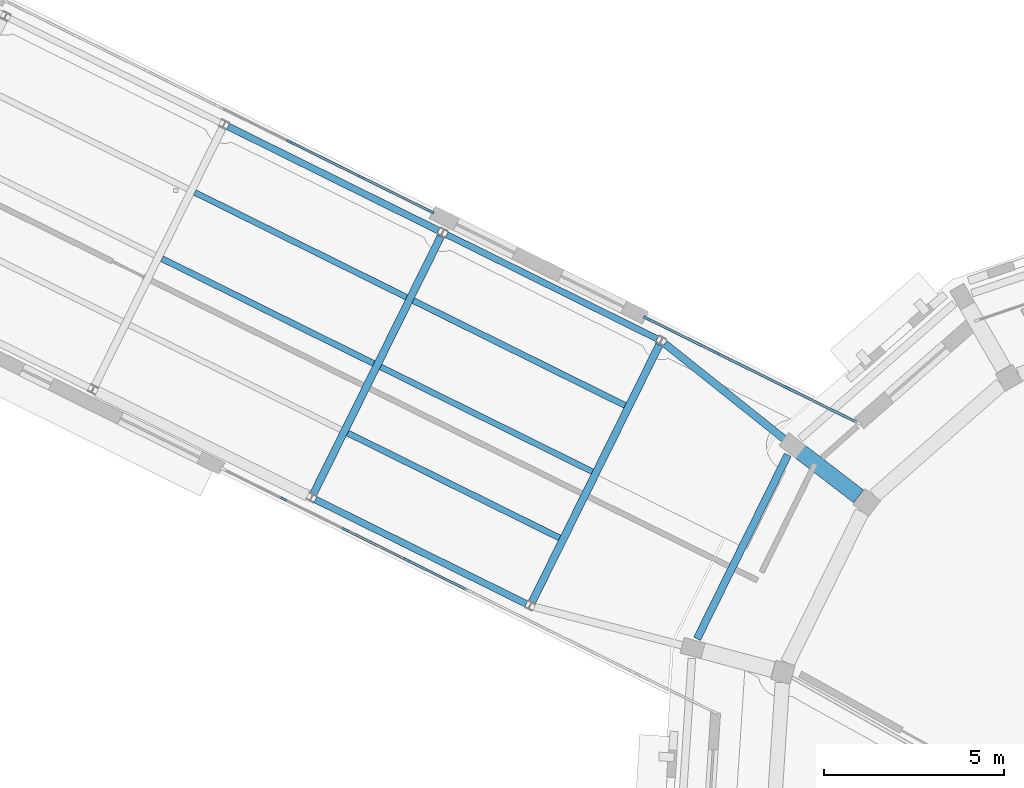
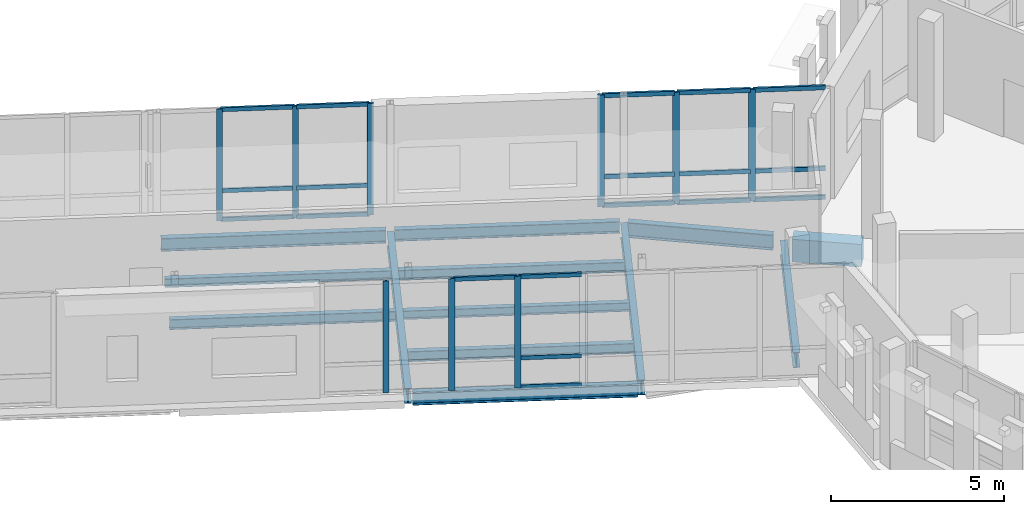
# One storey, part 67 of 125: 28 members, 13 beams, 3 elements without a shape of their own.
"""IFC4 building model written with IfcOpenShell, lengths in metres."""

from ifc_helpers import new_model, si_unit, direction, frame, origin, origin_2d, place, context, subcontext, project, spatial, rectangle, i_section, extrude, material, material_profile, profile_set, type_object, element, aggregate, save


model = new_model("IFC4")

# Units and contexts
model_context = context("Model", 3, precision=1e-05, world=origin(), true_north=direction((0.0, 1.0)))
body_context = subcontext(model_context, "Body", "Model", "MODEL_VIEW")
ifc_project = project(units=[si_unit("LENGTHUNIT", "METRE"), si_unit("AREAUNIT", "SQUARE_METRE"), si_unit("VOLUMEUNIT", "CUBIC_METRE"), si_unit("PLANEANGLEUNIT", "RADIAN"), si_unit("MASSUNIT", "GRAM", prefix="KILO")], contexts=[model_context])

# Site, building, storey
site_placement = place(None, origin())
site = spatial("IfcSite", under=ifc_project, at=site_placement, CompositionType="ELEMENT")
building_placement = place(site_placement, origin())
building = spatial("IfcBuilding", under=site, at=building_placement, Name="Wrenclough Park School", CompositionType="ELEMENT")
storey_placement = place(building_placement, frame((0.0, 0.0, 4.199951171875)))
storey = spatial("IfcBuildingStorey", under=building, at=storey_placement, Name="L01", CompositionType="ELEMENT", Elevation=4.199951171875)

# Curtain wall, members
ifc_material_1 = material(Name="Thermally broken aluminium and low-e glass curtain wall", Category="aluminium")
curtain_wall_type_1 = type_object("IfcCurtainWallType", Name="ENV-CW-01", PredefinedType="USERDEFINED", material=ifc_material_1)
curtain_wall_1_placement = place(storey_placement, origin())
curtain_wall_1 = element("IfcCurtainWall", 1, at=curtain_wall_1_placement, inside=storey, type_object=curtain_wall_type_1, Name="L01 recessed curtain wall assembly 112", ObjectType="CURTAIN WALL", PredefinedType="USERDEFINED")
ifc_material_2 = material(Name="Thermally broken anodised aluminium", Category="aluminium")
ifc_material_profile_1 = material_profile(ifc_material_2, rectangle(XDim=0.06494140625, YDim=0.179931640625, at=origin_2d()), Name="AL MULLION 65x180")
ifc_profile_set_1 = profile_set([ifc_material_profile_1], Name="Thermally broken anodised aluminium")
member_type_1 = type_object("IfcMemberType", Name="ENV-CWM-2", PredefinedType="MULLION", material=ifc_profile_set_1)
member_1_placement = place(storey_placement, frame((147.82958984375, 111.696044921875, 0.0), z_axis=(0.0, 0.0, 1.0), x_axis=(0.443511318294, 0.896268771377, 0.0)))
member_1 = element("IfcMember", 2, at=member_1_placement, type_object=member_type_1, Name="CW-01 mullion 2", PredefinedType="MULLION", context=body_context, shape_type="SweptSolid", body=[
    extrude(rectangle(XDim=0.06494140625, YDim=0.179931640625, at=origin_2d()), origin(), (0.0, 0.0, 1.0), 3.93994140625),
])
member_2_placement = place(storey_placement, frame((149.80078125, 110.720947265625, 0.0), z_axis=(0.0, 0.0, 1.0), x_axis=(0.443511318294, 0.896268771377, 0.0)))
member_2 = element("IfcMember", 3, at=member_2_placement, type_object=member_type_1, Name="CW-01 mullion 3", PredefinedType="MULLION", context=body_context, shape_type="SweptSolid", body=[
    extrude(rectangle(XDim=0.06494140625, YDim=0.179931640625, at=origin_2d()), origin(), (0.0, 0.0, 1.0), 3.93994140625),
])
member_3_placement = place(storey_placement, frame((151.74267578125, 109.760009765625, 0.0), z_axis=(0.0, 0.0, 1.0), x_axis=(0.443511318294, 0.896268771377, 0.0)))
member_3 = element("IfcMember", 4, at=member_3_placement, type_object=member_type_1, Name="CW-01 mullion 4", PredefinedType="MULLION", context=body_context, shape_type="SweptSolid", body=[
    extrude(rectangle(XDim=0.06494140625, YDim=0.179931640625, at=origin_2d()), origin(), (0.0, 0.0, 1.0), 3.93994140625),
])

curtain_wall_2_placement = place(storey_placement, origin())
curtain_wall_2 = element("IfcCurtainWall", 5, at=curtain_wall_2_placement, inside=storey, type_object=curtain_wall_type_1, Name="L01 recessed curtain wall assembly 160", ObjectType="CURTAIN WALL", PredefinedType="USERDEFINED")
member_4_placement = place(storey_placement, frame((151.0771484375, 100.09228515625, 0.0), z_axis=(0.0, 0.0, 1.0), x_axis=(-0.443504171144, -0.896272308051, 0.0)))
member_4 = element("IfcMember", 6, at=member_4_placement, type_object=member_type_1, Name="CW-01 mullion 2", PredefinedType="MULLION", context=body_context, shape_type="SweptSolid", body=[
    extrude(rectangle(XDim=0.06494140625, YDim=0.179931640625, at=origin_2d()), origin(), (0.0, 0.0, 1.0), 3.93994140625),
])
member_5_placement = place(storey_placement, frame((149.3671875, 100.9384765625, 0.0), z_axis=(0.0, 0.0, 1.0), x_axis=(-0.443504171144, -0.896272308051, 0.0)))
member_5 = element("IfcMember", 7, at=member_5_placement, type_object=member_type_1, Name="CW-01 mullion 3", PredefinedType="MULLION", context=body_context, shape_type="SweptSolid", body=[
    extrude(rectangle(XDim=0.06494140625, YDim=0.179931640625, at=origin_2d()), origin(), (0.0, 0.0, 1.0), 3.93994140625),
])
member_6_placement = place(storey_placement, frame((147.6572265625, 101.78466796875, 0.0), z_axis=(0.0, 0.0, 1.0), x_axis=(-0.443504171144, -0.896272308051, 0.0)))
member_6 = element("IfcMember", 8, at=member_6_placement, type_object=member_type_1, Name="CW-01 mullion 4", PredefinedType="MULLION", context=body_context, shape_type="SweptSolid", body=[
    extrude(rectangle(XDim=0.06494140625, YDim=0.179931640625, at=origin_2d()), origin(), (0.0, 0.0, 1.0), 3.93994140625),
])

curtain_wall_type_2 = type_object("IfcCurtainWallType", Name="ENV-CW-02", PredefinedType="USERDEFINED", material=ifc_material_1)
curtain_wall_3_placement = place(storey_placement, origin())
curtain_wall_3 = element("IfcCurtainWall", 9, at=curtain_wall_3_placement, inside=storey, type_object=curtain_wall_type_2, Name="L01 recessed curtain wall assembly 113", ObjectType="CURTAIN WALL", PredefinedType="USERDEFINED")
ifc_material_profile_2 = material_profile(ifc_material_2, rectangle(XDim=0.070068359375, YDim=0.199951171875, at=origin_2d()), Name="AL MULLION 70x200")
ifc_profile_set_2 = profile_set([ifc_material_profile_2], Name="Thermally broken anodised aluminium")
member_type_2 = type_object("IfcMemberType", Name="ENV-CWM-3", PredefinedType="MULLION", material=ifc_profile_set_2)
member_7_placement = place(storey_placement, frame((157.73046875, 106.796875, 0.0), z_axis=(0.0, 0.0, 1.0), x_axis=(0.443511318294, 0.896268771377, 0.0)))
member_7 = element("IfcMember", 10, at=member_7_placement, type_object=member_type_2, Name="CW-02 mullion 1", PredefinedType="MULLION", context=body_context, shape_type="SweptSolid", body=[
    extrude(rectangle(XDim=0.070068359375, YDim=0.199951171875, at=origin_2d()), origin(), (0.0, 0.0, 1.0), 3.93994140625),
])
member_8_placement = place(storey_placement, frame((159.670166015625, 105.837158203125, 0.0), z_axis=(0.0, 0.0, 1.0), x_axis=(0.443511318294, 0.896268771377, 0.0)))
member_8 = element("IfcMember", 11, at=member_8_placement, type_object=member_type_2, Name="CW-02 mullion 2", PredefinedType="MULLION", context=body_context, shape_type="SweptSolid", body=[
    extrude(rectangle(XDim=0.070068359375, YDim=0.199951171875, at=origin_2d()), origin(), (0.0, 0.0, 1.0), 3.93994140625),
])
member_9_placement = place(storey_placement, frame((161.64111328125, 104.86181640625, 0.0), z_axis=(0.0, 0.0, 1.0), x_axis=(0.443511318294, 0.896268771377, 0.0)))
member_9 = element("IfcMember", 12, at=member_9_placement, type_object=member_type_2, Name="CW-02 mullion 3", PredefinedType="MULLION", context=body_context, shape_type="SweptSolid", body=[
    extrude(rectangle(XDim=0.070068359375, YDim=0.199951171875, at=origin_2d()), origin(), (0.0, 0.0, 1.0), 3.93994140625),
])

# Member
ifc_material_profile_3 = material_profile(ifc_material_2, rectangle(XDim=0.06494140625, YDim=0.139892578125, at=origin_2d()), Name="AL TRANSOM 65x140")
ifc_profile_set_3 = profile_set([ifc_material_profile_3], Name="Thermally broken anodised aluminium")
member_type_3 = type_object("IfcMemberType", Name="ENV-CWT-2", PredefinedType="USERDEFINED", material=ifc_profile_set_3)
member_10_placement = place(storey_placement, frame((147.85888671875, 111.681640625, 0.032470703125), z_axis=(0.896295658706, -0.443456978956, 0.0), x_axis=(0.443456978956, 0.896295658706, 0.0)))
member_10 = element("IfcMember", 13, at=member_10_placement, type_object=member_type_3, Name="CW-01 transom 2.1", ObjectType="TRANSOM", PredefinedType="USERDEFINED", context=body_context, shape_type="SweptSolid", body=[
    extrude(rectangle(XDim=0.06494140625, YDim=0.139892578125, at=origin_2d()), origin(), (0.0, 0.0, 1.0), 2.1337890625),
])

member_11_placement = place(storey_placement, frame((147.85888671875, 111.681640625, 1.050048828125), z_axis=(0.896295658706, -0.443456978956, 0.0), x_axis=(0.443456978956, 0.896295658706, 0.0)))
member_11 = element("IfcMember", 14, at=member_11_placement, type_object=member_type_3, Name="CW-01 transom 2.2", ObjectType="TRANSOM", PredefinedType="USERDEFINED", context=body_context, shape_type="SweptSolid", body=[
    extrude(rectangle(XDim=0.06494140625, YDim=0.139892578125, at=origin_2d()), origin(), (0.0, 0.0, 1.0), 2.1337890625),
])

member_12_placement = place(storey_placement, frame((147.85888671875, 111.681640625, 3.907470703125), z_axis=(0.896295658706, -0.443456978956, 0.0), x_axis=(0.443456978956, 0.896295658706, 0.0)))
member_12 = element("IfcMember", 15, at=member_12_placement, type_object=member_type_3, Name="CW-01 transom 2.3", ObjectType="TRANSOM", PredefinedType="USERDEFINED", context=body_context, shape_type="SweptSolid", body=[
    extrude(rectangle(XDim=0.06494140625, YDim=0.139892578125, at=origin_2d()), origin(), (0.0, 0.0, 1.0), 2.1337890625),
])

member_13_placement = place(storey_placement, frame((149.829833984375, 110.706298828125, 0.032470703125), z_axis=(0.896301329016, -0.443445518192, 0.0), x_axis=(0.443445518192, 0.896301329016, 0.0)))
member_13 = element("IfcMember", 16, at=member_13_placement, type_object=member_type_3, Name="CW-01 transom 3.1", ObjectType="TRANSOM", PredefinedType="USERDEFINED", context=body_context, shape_type="SweptSolid", body=[
    extrude(rectangle(XDim=0.06494140625, YDim=0.139892578125, at=origin_2d()), origin(), (0.0, 0.0, 1.0), 2.1015625),
])

member_14_placement = place(storey_placement, frame((149.829833984375, 110.706298828125, 1.050048828125), z_axis=(0.896301329016, -0.443445518192, 0.0), x_axis=(0.443445518192, 0.896301329016, 0.0)))
member_14 = element("IfcMember", 17, at=member_14_placement, type_object=member_type_3, Name="CW-01 transom 3.2", ObjectType="TRANSOM", PredefinedType="USERDEFINED", context=body_context, shape_type="SweptSolid", body=[
    extrude(rectangle(XDim=0.06494140625, YDim=0.139892578125, at=origin_2d()), origin(), (0.0, 0.0, 1.0), 2.1015625),
])

member_15_placement = place(storey_placement, frame((149.829833984375, 110.706298828125, 3.907470703125), z_axis=(0.896301329016, -0.443445518192, 0.0), x_axis=(0.443445518192, 0.896301329016, 0.0)))
member_15 = element("IfcMember", 18, at=member_15_placement, type_object=member_type_3, Name="CW-01 transom 3.3", ObjectType="TRANSOM", PredefinedType="USERDEFINED", context=body_context, shape_type="SweptSolid", body=[
    extrude(rectangle(XDim=0.06494140625, YDim=0.139892578125, at=origin_2d()), origin(), (0.0, 0.0, 1.0), 2.1015625),
])

aggregate(curtain_wall_1, [member_1, member_2, member_3, member_10, member_11, member_12, member_13, member_14, member_15])

member_16_placement = place(storey_placement, frame((152.72900390625, 99.27490234375, 0.032470703125), z_axis=(-0.896280237919, 0.443488145406, 0.0), x_axis=(-0.443488145406, -0.896280237919, 0.0)))
member_16 = element("IfcMember", 19, at=member_16_placement, type_object=member_type_3, Name="CW-01 transom 1.1", ObjectType="TRANSOM", PredefinedType="USERDEFINED", context=body_context, shape_type="SweptSolid", body=[
    extrude(rectangle(XDim=0.06494140625, YDim=0.139892578125, at=origin_2d()), origin(), (0.0, 0.0, 1.0), 1.810546875),
])

member_17_placement = place(storey_placement, frame((152.72900390625, 99.27490234375, 1.050048828125), z_axis=(-0.896280237919, 0.443488145406, 0.0), x_axis=(-0.443488145406, -0.896280237919, 0.0)))
member_17 = element("IfcMember", 20, at=member_17_placement, type_object=member_type_3, Name="CW-01 transom 1.2", ObjectType="TRANSOM", PredefinedType="USERDEFINED", context=body_context, shape_type="SweptSolid", body=[
    extrude(rectangle(XDim=0.06494140625, YDim=0.139892578125, at=origin_2d()), origin(), (0.0, 0.0, 1.0), 1.810546875),
])

member_18_placement = place(storey_placement, frame((152.72900390625, 99.27490234375, 3.907470703125), z_axis=(-0.896280237919, 0.443488145406, 0.0), x_axis=(-0.443488145406, -0.896280237919, 0.0)))
member_18 = element("IfcMember", 21, at=member_18_placement, type_object=member_type_3, Name="CW-01 transom 1.3", ObjectType="TRANSOM", PredefinedType="USERDEFINED", context=body_context, shape_type="SweptSolid", body=[
    extrude(rectangle(XDim=0.06494140625, YDim=0.139892578125, at=origin_2d()), origin(), (0.0, 0.0, 1.0), 1.810546875),
])

member_19_placement = place(storey_placement, frame((151.048095703125, 100.106689453125, 3.907470703125), z_axis=(-0.896274043196, 0.443500664591, 0.0), x_axis=(-0.443500664591, -0.896274043196, 0.0)))
member_19 = element("IfcMember", 22, at=member_19_placement, type_object=member_type_3, Name="CW-01 transom 2.3", ObjectType="TRANSOM", PredefinedType="USERDEFINED", context=body_context, shape_type="SweptSolid", body=[
    extrude(rectangle(XDim=0.06494140625, YDim=0.139892578125, at=origin_2d()), origin(), (0.0, 0.0, 1.0), 1.843017578125),
])

aggregate(curtain_wall_2, [member_4, member_5, member_6, member_16, member_17, member_18, member_19])

ifc_material_profile_4 = material_profile(ifc_material_2, rectangle(XDim=0.070068359375, YDim=0.14990234375, at=origin_2d()), Name="AL TRANSOM 70x150")
ifc_profile_set_4 = profile_set([ifc_material_profile_4], Name="Thermally broken anodised aluminium")
member_type_4 = type_object("IfcMemberType", Name="ENV-CWT-3", PredefinedType="USERDEFINED", material=ifc_profile_set_4)
member_20_placement = place(storey_placement, frame((157.76171875, 106.78125, 0.03515625), z_axis=(0.896284727587, -0.443479071766, 0.0), x_axis=(0.443479071766, 0.896284727587, 0.0)))
member_20 = element("IfcMember", 23, at=member_20_placement, type_object=member_type_4, Name="CW-02 transom 1.1", ObjectType="TRANSOM", PredefinedType="USERDEFINED", context=body_context, shape_type="SweptSolid", body=[
    extrude(rectangle(XDim=0.070068359375, YDim=0.14990234375, at=origin_2d()), origin(), (0.0, 0.0, 1.0), 2.09423828125),
])

member_21_placement = place(storey_placement, frame((157.76171875, 106.78125, 1.050048828125), z_axis=(0.896284727587, -0.443479071766, 0.0), x_axis=(0.443479071766, 0.896284727587, 0.0)))
member_21 = element("IfcMember", 24, at=member_21_placement, type_object=member_type_4, Name="CW-02 transom 1.2", ObjectType="TRANSOM", PredefinedType="USERDEFINED", context=body_context, shape_type="SweptSolid", body=[
    extrude(rectangle(XDim=0.070068359375, YDim=0.14990234375, at=origin_2d()), origin(), (0.0, 0.0, 1.0), 2.09423828125),
])

member_22_placement = place(storey_placement, frame((157.76171875, 106.78125, 3.905029296875), z_axis=(0.896284727587, -0.443479071766, 0.0), x_axis=(0.443479071766, 0.896284727587, 0.0)))
member_22 = element("IfcMember", 25, at=member_22_placement, type_object=member_type_4, Name="CW-02 transom 1.3", ObjectType="TRANSOM", PredefinedType="USERDEFINED", context=body_context, shape_type="SweptSolid", body=[
    extrude(rectangle(XDim=0.070068359375, YDim=0.14990234375, at=origin_2d()), origin(), (0.0, 0.0, 1.0), 2.09423828125),
])

member_23_placement = place(storey_placement, frame((159.701416015625, 105.821533203125, 0.03515625), z_axis=(0.896254371032, -0.443540418008, 0.0), x_axis=(0.443540418008, 0.896254371032, 0.0)))
member_23 = element("IfcMember", 26, at=member_23_placement, type_object=member_type_4, Name="CW-02 transom 2.1", ObjectType="TRANSOM", PredefinedType="USERDEFINED", context=body_context, shape_type="SweptSolid", body=[
    extrude(rectangle(XDim=0.070068359375, YDim=0.14990234375, at=origin_2d()), origin(), (0.0, 0.0, 1.0), 2.129150390625),
])

member_24_placement = place(storey_placement, frame((159.701416015625, 105.821533203125, 1.050048828125), z_axis=(0.896254371032, -0.443540418008, 0.0), x_axis=(0.443540418008, 0.896254371032, 0.0)))
member_24 = element("IfcMember", 27, at=member_24_placement, type_object=member_type_4, Name="CW-02 transom 2.2", ObjectType="TRANSOM", PredefinedType="USERDEFINED", context=body_context, shape_type="SweptSolid", body=[
    extrude(rectangle(XDim=0.070068359375, YDim=0.14990234375, at=origin_2d()), origin(), (0.0, 0.0, 1.0), 2.129150390625),
])

member_25_placement = place(storey_placement, frame((159.701416015625, 105.821533203125, 3.905029296875), z_axis=(0.896254371032, -0.443540418008, 0.0), x_axis=(0.443540418008, 0.896254371032, 0.0)))
member_25 = element("IfcMember", 28, at=member_25_placement, type_object=member_type_4, Name="CW-02 transom 2.3", ObjectType="TRANSOM", PredefinedType="USERDEFINED", context=body_context, shape_type="SweptSolid", body=[
    extrude(rectangle(XDim=0.070068359375, YDim=0.14990234375, at=origin_2d()), origin(), (0.0, 0.0, 1.0), 2.129150390625),
])

member_26_placement = place(storey_placement, frame((161.67236328125, 104.84619140625, 0.03515625), z_axis=(0.896284727587, -0.443479071766, 0.0), x_axis=(0.443479071766, 0.896284727587, 0.0)))
member_26 = element("IfcMember", 29, at=member_26_placement, type_object=member_type_4, Name="CW-02 transom 3.1", ObjectType="TRANSOM", PredefinedType="USERDEFINED", context=body_context, shape_type="SweptSolid", body=[
    extrude(rectangle(XDim=0.070068359375, YDim=0.14990234375, at=origin_2d()), origin(), (0.0, 0.0, 1.0), 2.09423828125),
])

member_27_placement = place(storey_placement, frame((161.67236328125, 104.84619140625, 1.050048828125), z_axis=(0.896284727587, -0.443479071766, 0.0), x_axis=(0.443479071766, 0.896284727587, 0.0)))
member_27 = element("IfcMember", 30, at=member_27_placement, type_object=member_type_4, Name="CW-02 transom 3.2", ObjectType="TRANSOM", PredefinedType="USERDEFINED", context=body_context, shape_type="SweptSolid", body=[
    extrude(rectangle(XDim=0.070068359375, YDim=0.14990234375, at=origin_2d()), origin(), (0.0, 0.0, 1.0), 2.09423828125),
])

member_28_placement = place(storey_placement, frame((161.67236328125, 104.84619140625, 3.905029296875), z_axis=(0.896284727587, -0.443479071766, 0.0), x_axis=(0.443479071766, 0.896284727587, 0.0)))
member_28 = element("IfcMember", 31, at=member_28_placement, type_object=member_type_4, Name="CW-02 transom 3.3", ObjectType="TRANSOM", PredefinedType="USERDEFINED", context=body_context, shape_type="SweptSolid", body=[
    extrude(rectangle(XDim=0.070068359375, YDim=0.14990234375, at=origin_2d()), origin(), (0.0, 0.0, 1.0), 2.09423828125),
])

aggregate(curtain_wall_3, [member_7, member_8, member_9, member_20, member_21, member_22, member_23, member_24, member_25, member_26, member_27, member_28])

# Beams
ifc_material_3 = material(Name="Concrete C40/50", Category="concrete")
ifc_material_profile_5 = material_profile(ifc_material_3, rectangle(XDim=0.449951171875, YDim=0.800048828125, at=origin_2d()), Name="RC BEAM 450x800")
ifc_profile_set_5 = profile_set([ifc_material_profile_5], Name="Concrete C40/50")
beam_type_1 = type_object("IfcBeamType", Name="STR-BM-RC450", PredefinedType="BEAM", material=ifc_profile_set_5)
beam_1_placement = place(storey_placement, frame((161.9951171875, 103.09521484375, -0.6650390625), z_axis=(0.793336422335, -0.608783476285, 0.0), x_axis=(0.608783476285, 0.793336422335, 0.0)))
element("IfcBeam", 32, at=beam_1_placement, inside=storey, type_object=beam_type_1, Name="D5 L01 radial girder 7", PredefinedType="BEAM", context=body_context, shape_type="SweptSolid", body=[
    extrude(rectangle(XDim=0.449951171875, YDim=0.800048828125, at=origin_2d()), origin(), (0.0, 0.0, 1.0), 2.02392578125),
])
ifc_material_4 = material(Name="Structural steel S355", Category="steel")
ifc_material_profile_6 = material_profile(ifc_material_4, i_section(OverallWidth=0.1650390625, OverallDepth=0.303466796875, WebThickness=0.006103515625, FlangeThickness=0.01025390625, FilletRadius=0.0087890625, at=origin_2d()), Name="UKB 305x165x40")
ifc_profile_set_6 = profile_set([ifc_material_profile_6], Name="Structural steel S355")
beam_type_2 = type_object("IfcBeamType", Name="STR-BM-UKB305", PredefinedType="JOIST", material=ifc_profile_set_6)
for number, where, z_axis, x_axis, name in (
    (33, (145.1904296875, 110.291015625, -0.401611328125), (0.896266918537, -0.443515062581, 0.0), (0.443515062581, 0.896266918537, 0.0), "W45 L01 secondary floor joist 0103"),
    (34, (150.34375, 105.45361328125, -0.401611328125), (0.896266918537, -0.443515062581, 0.0), (0.443515062581, 0.896266918537, 0.0), "W45 L01 secondary floor joist 0107"),
):
    element("IfcBeam", number, at=place(storey_placement, frame(where, z_axis=z_axis, x_axis=x_axis)), inside=storey, type_object=beam_type_2, Name=name, PredefinedType="JOIST", context=body_context, shape_type="SweptSolid", body=[
        extrude(i_section(OverallWidth=0.1650390625, OverallDepth=0.303466796875, WebThickness=0.006103515625, FlangeThickness=0.01025390625, FilletRadius=0.0087890625, at=origin_2d()), origin(), (0.0, 0.0, 1.0), 6.554931640625),
    ])
ifc_material_profile_7 = material_profile(ifc_material_4, i_section(OverallWidth=0.17138671875, OverallDepth=0.35498046875, WebThickness=0.00732421875, FlangeThickness=0.011474609375, FilletRadius=0.01025390625, at=origin_2d()), Name="UKB 356x171x51")
ifc_profile_set_7 = profile_set([ifc_material_profile_7], Name="Structural steel S355")
beam_type_3 = type_object("IfcBeamType", Name="STR-BM-UKB356", PredefinedType="JOIST", material=ifc_profile_set_7)
for number, where, z_axis, x_axis, name in (
    (35, (144.28125, 108.45361328125, -0.427490234375), (0.896266918537, -0.443515062581, 0.0), (0.443515062581, 0.896266918537, 0.0), "W45 L01 secondary floor joist 0104"),
    (36, (151.2529296875, 107.291015625, -0.427490234375), (0.896266918537, -0.443515062581, 0.0), (0.443515062581, 0.896266918537, 0.0), "W45 L01 secondary floor joist 0106"),
    (37, (149.4345703125, 103.6162109375, -0.427490234375), (0.896266918537, -0.443515062581, 0.0), (0.443515062581, 0.896266918537, 0.0), "W45 L01 secondary floor joist 0108"),
):
    element("IfcBeam", number, at=place(storey_placement, frame(where, z_axis=z_axis, x_axis=x_axis)), inside=storey, type_object=beam_type_3, Name=name, PredefinedType="JOIST", context=body_context, shape_type="SweptSolid", body=[
        extrude(i_section(OverallWidth=0.17138671875, OverallDepth=0.35498046875, WebThickness=0.00732421875, FlangeThickness=0.011474609375, FilletRadius=0.01025390625, at=origin_2d()), origin(), (0.0, 0.0, 1.0), 6.554931640625),
    ])
ifc_material_profile_8 = material_profile(ifc_material_4, i_section(OverallWidth=0.177978515625, OverallDepth=0.406494140625, WebThickness=0.0078125, FlangeThickness=0.0126953125, FilletRadius=0.01025390625, at=origin_2d()), Name="UKB 406x178x60")
ifc_profile_set_8 = profile_set([ifc_material_profile_8], Name="Structural steel S355")
beam_type_4 = type_object("IfcBeamType", Name="STR-BM-UKB406", PredefinedType="BEAM", material=ifc_profile_set_8)
beam_2_placement = place(storey_placement, frame((152.177978515625, 109.12060546875, -0.453125), z_axis=(0.896269370502, -0.443510107551, 0.0), x_axis=(0.443510107551, 0.896269370502, 0.0)))
element("IfcBeam", 38, at=beam_2_placement, inside=storey, type_object=beam_type_4, Name="W45 L01 longitudinal edge beam L4", PredefinedType="BEAM", context=body_context, shape_type="SweptSolid", body=[
    extrude(i_section(OverallWidth=0.177978515625, OverallDepth=0.406494140625, WebThickness=0.0078125, FlangeThickness=0.0126953125, FilletRadius=0.01025390625, at=origin_2d()), origin(), (0.0, 0.0, 1.0), 6.519775390625),
])
ifc_material_profile_9 = material_profile(ifc_material_4, i_section(OverallWidth=0.18994140625, OverallDepth=0.453369140625, WebThickness=0.008544921875, FlangeThickness=0.0126953125, FilletRadius=0.01025390625, at=origin_2d()), Name="UKB 457x191x67")
ifc_profile_set_9 = profile_set([ifc_material_profile_9], Name="Structural steel S355")
beam_type_5 = type_object("IfcBeamType", Name="STR-BM-UKB457A", PredefinedType="BEAM", material=ifc_profile_set_9)
for number, where, z_axis, x_axis, name in (
    (39, (146.115478515625, 112.12060546875, -0.4765625), (0.896269370502, -0.443510107551, 0.0), (0.443510107551, 0.896269370502, 0.0), "W45 L01 longitudinal edge beam L3"),
    (40, (148.541015625, 101.77099609375, -0.4765625), (0.896269370502, -0.443510107551, 0.0), (0.443510107551, 0.896269370502, 0.0), "W45 L01 longitudinal edge beam R4"),
):
    element("IfcBeam", number, at=place(storey_placement, frame(where, z_axis=z_axis, x_axis=x_axis)), inside=storey, type_object=beam_type_5, Name=name, PredefinedType="BEAM", context=body_context, shape_type="SweptSolid", body=[
        extrude(i_section(OverallWidth=0.18994140625, OverallDepth=0.453369140625, WebThickness=0.008544921875, FlangeThickness=0.0126953125, FilletRadius=0.01025390625, at=origin_2d()), origin(), (0.0, 0.0, 1.0), 6.519775390625),
    ])
ifc_material_profile_10 = material_profile(ifc_material_4, i_section(OverallWidth=0.209228515625, OverallDepth=0.533203125, WebThickness=0.010009765625, FlangeThickness=0.015625, FilletRadius=0.0126953125, at=origin_2d()), Name="UKB 533x210x92")
ifc_profile_set_10 = profile_set([ifc_material_profile_10], Name="Structural steel S355")
beam_type_6 = type_object("IfcBeamType", Name="STR-BM-UKB533A", PredefinedType="BEAM", material=ifc_profile_set_10)
for number, where, z_axis, x_axis, name in (
    (41, (152.01416015625, 109.065185546875, -0.516357421875), (-0.44350264665, -0.896273062417, 0.0), (0.896273062417, -0.44350264665, 0.0), "W45 L01 transverse floor beam 4"),
    (42, (158.07666015625, 106.065185546875, -0.516357421875), (-0.44350264665, -0.896273062417, 0.0), (0.896273062417, -0.44350264665, 0.0), "W45 L01 transverse floor beam 5"),
):
    element("IfcBeam", number, at=place(storey_placement, frame(where, z_axis=z_axis, x_axis=x_axis)), inside=storey, type_object=beam_type_6, Name=name, PredefinedType="BEAM", context=body_context, shape_type="SweptSolid", body=[
        extrude(i_section(OverallWidth=0.209228515625, OverallDepth=0.533203125, WebThickness=0.010009765625, FlangeThickness=0.015625, FilletRadius=0.0126953125, at=origin_2d()), origin(), (0.0, 0.0, 1.0), 7.95556640625),
    ])
beam_3_placement = place(storey_placement, frame((158.226318359375, 106.098388671875, -0.531494140625), z_axis=(0.781345713655, -0.624098450369, 0.0), x_axis=(0.624098450369, 0.781345713655, 0.0)))
element("IfcBeam", 43, at=beam_3_placement, inside=storey, type_object=beam_type_6, Name="W45 L01 drum junction tie beam 49", PredefinedType="BEAM", context=body_context, shape_type="SweptSolid", body=[
    extrude(i_section(OverallWidth=0.209228515625, OverallDepth=0.533203125, WebThickness=0.010009765625, FlangeThickness=0.015625, FilletRadius=0.0126953125, at=origin_2d()), origin(), (0.0, 0.0, 1.0), 4.2431640625),
])
ifc_material_profile_11 = material_profile(ifc_material_4, i_section(OverallWidth=0.210693359375, OverallDepth=0.53955078125, WebThickness=0.01171875, FlangeThickness=0.018798828125, FilletRadius=0.0126953125, at=origin_2d()), Name="UKB 533x210x109")
ifc_profile_set_11 = profile_set([ifc_material_profile_11], Name="Structural steel S355")
beam_type_7 = type_object("IfcBeamType", Name="STR-BM-UKB533B", PredefinedType="SPANDREL", material=ifc_profile_set_11)
beam_4_placement = place(storey_placement, frame((161.639404296875, 103.01220703125, -0.53466796875), z_axis=(-0.442312353825, -0.896861071545, 0.0), x_axis=(0.896861071545, -0.442312353825, 0.0)))
element("IfcBeam", 44, at=beam_4_placement, inside=storey, type_object=beam_type_7, Name="D5 L01 outer ring spandrel beam 7", PredefinedType="SPANDREL", context=body_context, shape_type="SweptSolid", body=[
    extrude(i_section(OverallWidth=0.210693359375, OverallDepth=0.53955078125, WebThickness=0.01171875, FlangeThickness=0.018798828125, FilletRadius=0.0126953125, at=origin_2d()), origin(), (0.0, 0.0, 1.0), 5.686279296875),
])

save(model, "model.ifc")
